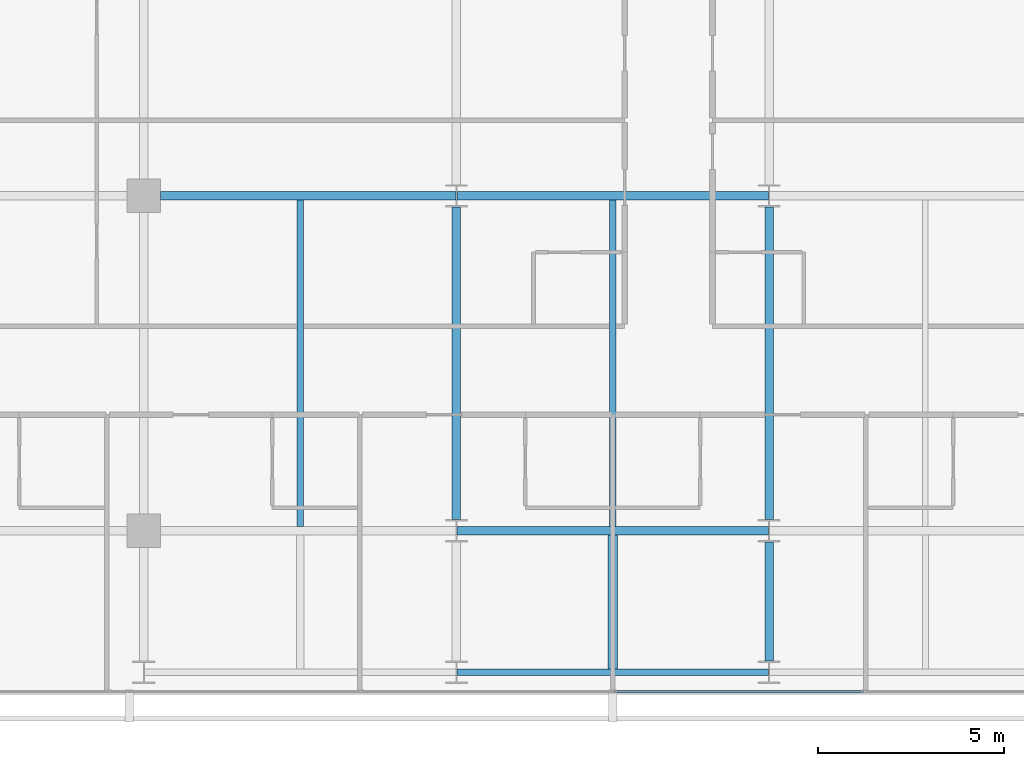
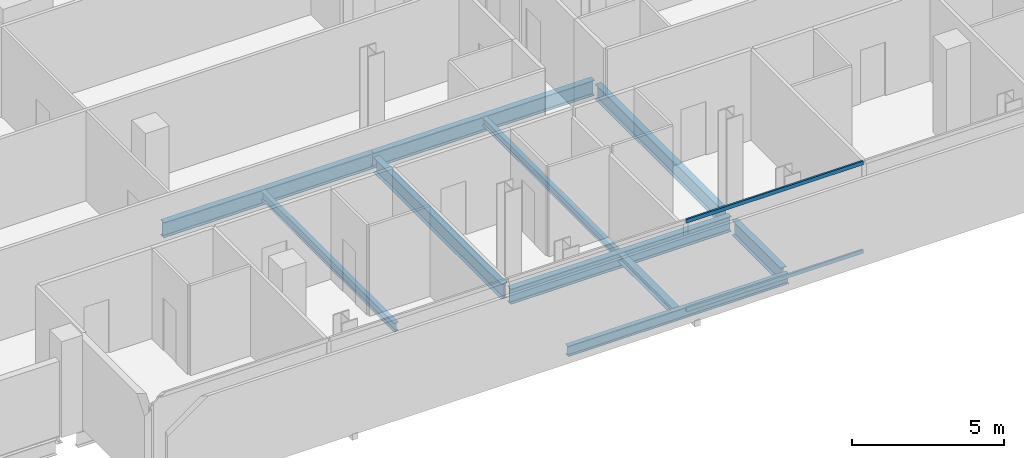
# One storey, part 7 of 33: 10 beams, 2 members, 1 element without a shape of its own.
"""IFC4 building model written with IfcOpenShell, lengths in metres."""

from ifc_helpers import new_model, si_unit, direction, frame, origin, origin_2d, place, context, subcontext, project, spatial, hollow_rectangle, i_section, extrude, material, layer, layer_set, material_profile, profile_set, type_object, element, aggregate, save


model = new_model("IFC4")

# Units and contexts
model_context = context("Model", 3, precision=1e-05, world=origin(), true_north=direction((0.0, 1.0)))
body_context = subcontext(model_context, "Body", "Model", "MODEL_VIEW")
ifc_project = project(units=[si_unit("LENGTHUNIT", "METRE"), si_unit("AREAUNIT", "SQUARE_METRE"), si_unit("VOLUMEUNIT", "CUBIC_METRE"), si_unit("PLANEANGLEUNIT", "RADIAN"), si_unit("MASSUNIT", "GRAM", prefix="KILO")], contexts=[model_context])

# Site, building, storey
site_placement = place(None, origin())
site = spatial("IfcSite", under=ifc_project, at=site_placement, CompositionType="ELEMENT")
building_placement = place(site_placement, origin())
building = spatial("IfcBuilding", under=site, at=building_placement, Name="Maruvema Waterfront Hotel and Observation Tower", CompositionType="ELEMENT")
storey_placement = place(building_placement, frame((0.0, 0.0, 150.5)))
storey = spatial("IfcBuildingStorey", under=building, at=storey_placement, Name="L36", CompositionType="ELEMENT", Elevation=150.5)

# Curtain wall, members
ifc_material_1 = material(Name="Anodised bronze aluminium and solar-control low-E IGU", Category="aluminium")
ifc_layer = layer(ifc_material_1, 0.159912109375, Name="Zone 2 Amber Inner Thermal Curtain Wall System CW-03")
ifc_layer_set = layer_set([ifc_layer], Name="Anodised bronze aluminium and solar-control low-E IGU")
curtain_wall_type = type_object("IfcCurtainWallType", Name="Zone 2 Amber Inner Thermal Curtain Wall System CW-03", PredefinedType="USERDEFINED", material=ifc_layer_set)
curtain_wall_placement = place(storey_placement, origin())
curtain_wall = element("IfcCurtainWall", 1, at=curtain_wall_placement, inside=storey, type_object=curtain_wall_type, Name="L36 Curtain Wall CW-L36-S", ObjectType="UNITISED CURTAIN WALL", PredefinedType="USERDEFINED")
ifc_material_2 = material(Name="Anodised architectural bronze aluminium", Category="aluminium")
ifc_material_profile_1 = material_profile(ifc_material_2, hollow_rectangle(XDim=0.070068359375, YDim=0.14990234375, WallThickness=0.00390625, at=origin_2d()), Name="ALU-T70x150")
ifc_profile_set_1 = profile_set([ifc_material_profile_1], Name="Anodised architectural bronze aluminium")
member_type = type_object("IfcMemberType", Name="Curtain Wall Horizontal Transom ALU-T70x150", PredefinedType="USERDEFINED", material=ifc_profile_set_1)
member_1_placement = place(storey_placement, frame((37.830078125, 4.679931640625, 0.030029296875), z_axis=(1.0, 0.0, 0.0), x_axis=(0.0, 1.0, 0.0)))
member_1 = element("IfcMember", 2, at=member_1_placement, type_object=member_type, Name="CW-03 transom 4.1", ObjectType="TRANSOM", PredefinedType="USERDEFINED", context=body_context, shape_type="SweptSolid", body=[
    extrude(hollow_rectangle(XDim=0.070068359375, YDim=0.14990234375, WallThickness=0.00390625, at=origin_2d()), origin(), (0.0, 0.0, 1.0), 6.70654296875),
])
member_2_placement = place(storey_placement, frame((37.830078125, 4.679931640625, 3.580078125), z_axis=(1.0, 0.0, 0.0), x_axis=(0.0, 1.0, 0.0)))
member_2 = element("IfcMember", 3, at=member_2_placement, type_object=member_type, Name="CW-03 transom 4.2", ObjectType="TRANSOM", PredefinedType="USERDEFINED", context=body_context, shape_type="SweptSolid", body=[
    extrude(hollow_rectangle(XDim=0.070068359375, YDim=0.14990234375, WallThickness=0.00390625, at=origin_2d()), origin(), (0.0, 0.0, 1.0), 6.70654296875),
])
aggregate(curtain_wall, [member_1, member_2])

# Beams
ifc_material_3 = material(Name="Steel ASTM A572 Grade 50", Category="steel")
ifc_material_profile_2 = material_profile(ifc_material_3, i_section(OverallWidth=0.180908203125, OverallDepth=0.4169921875, WebThickness=0.010986328125, FlangeThickness=0.018310546875, FilletRadius=0.014892578125, at=origin_2d()), Name="W410x85.0")
ifc_profile_set_2 = profile_set([ifc_material_profile_2], Name="Steel ASTM A572 Grade 50")
beam_type_1 = type_object("IfcBeamType", Name="Perimeter Spandrel Beam W410x85.0", PredefinedType="SPANDREL", material=ifc_profile_set_2)
beam_1_placement = place(storey_placement, frame((33.612548828125, 5.199951171875, -0.448486328125), z_axis=(1.0, 0.0, 0.0), x_axis=(0.0, 1.0, 0.0)))
element("IfcBeam", 4, at=beam_1_placement, inside=storey, type_object=beam_type_1, Name="L36 Floor Girder EW-02", PredefinedType="SPANDREL", context=body_context, shape_type="SweptSolid", body=[
    extrude(i_section(OverallWidth=0.180908203125, OverallDepth=0.4169921875, WebThickness=0.010986328125, FlangeThickness=0.018310546875, FilletRadius=0.014892578125, at=origin_2d()), origin(), (0.0, 0.0, 1.0), 8.375),
])
ifc_material_4 = material(Name="Steel ASTM A572 Grade 50", Category="steel")
ifc_material_profile_3 = material_profile(ifc_material_4, i_section(OverallWidth=0.22900390625, OverallDepth=0.612060546875, WebThickness=0.011962890625, FlangeThickness=0.01953125, FilletRadius=0.01806640625, at=origin_2d()), Name="W610x125.0")
ifc_profile_set_3 = profile_set([ifc_material_profile_3], Name="Steel ASTM A572 Grade 50")
beam_type_2 = type_object("IfcBeamType", Name="Primary Floor Girder W610x125.0", PredefinedType="BEAM", material=ifc_profile_set_3)
beam_2_placement = place(storey_placement, frame((33.612548828125, 9.0, -0.5458984375), z_axis=(1.0, 0.0, 0.0), x_axis=(0.0, 1.0, 0.0)))
element("IfcBeam", 5, at=beam_2_placement, inside=storey, type_object=beam_type_2, Name="L36 Floor Girder EW-07", PredefinedType="BEAM", context=body_context, shape_type="SweptSolid", body=[
    extrude(i_section(OverallWidth=0.22900390625, OverallDepth=0.612060546875, WebThickness=0.011962890625, FlangeThickness=0.01953125, FilletRadius=0.01806640625, at=origin_2d()), origin(), (0.0, 0.0, 1.0), 8.375),
])
beam_3_placement = place(storey_placement, frame((25.64990234375, 18.0, -0.5458984375), z_axis=(1.0, 0.0, 0.0), x_axis=(0.0, 1.0, 0.0)))
element("IfcBeam", 6, at=beam_3_placement, inside=storey, type_object=beam_type_2, Name="L36 Floor Girder EW-13", PredefinedType="BEAM", context=body_context, shape_type="SweptSolid", body=[
    extrude(i_section(OverallWidth=0.22900390625, OverallDepth=0.612060546875, WebThickness=0.011962890625, FlangeThickness=0.01953125, FilletRadius=0.01806640625, at=origin_2d()), origin(), (0.0, 0.0, 1.0), 7.9375),
])
beam_4_placement = place(storey_placement, frame((33.612548828125, 18.0, -0.5458984375), z_axis=(1.0, 0.0, 0.0), x_axis=(0.0, 1.0, 0.0)))
element("IfcBeam", 7, at=beam_4_placement, inside=storey, type_object=beam_type_2, Name="L36 Floor Girder EW-14", PredefinedType="BEAM", context=body_context, shape_type="SweptSolid", body=[
    extrude(i_section(OverallWidth=0.22900390625, OverallDepth=0.612060546875, WebThickness=0.011962890625, FlangeThickness=0.01953125, FilletRadius=0.01806640625, at=origin_2d()), origin(), (0.0, 0.0, 1.0), 8.375),
])
beam_5_placement = place(storey_placement, frame((33.60009765625, 9.300048828125, -0.5458984375), z_axis=(0.0, 1.0, 0.0), x_axis=(-1.0, 0.0, 0.0)))
element("IfcBeam", 8, at=beam_5_placement, inside=storey, type_object=beam_type_2, Name="L36 Floor Girder NS-15", PredefinedType="BEAM", context=body_context, shape_type="SweptSolid", body=[
    extrude(i_section(OverallWidth=0.22900390625, OverallDepth=0.612060546875, WebThickness=0.011962890625, FlangeThickness=0.01953125, FilletRadius=0.01806640625, at=origin_2d()), origin(), (0.0, 0.0, 1.0), 8.39990234375),
])
beam_6_placement = place(storey_placement, frame((42.0, 5.5, -0.5458984375), z_axis=(0.0, 1.0, 0.0), x_axis=(-1.0, 0.0, 0.0)))
element("IfcBeam", 9, at=beam_6_placement, inside=storey, type_object=beam_type_2, Name="L36 Floor Girder NS-17", PredefinedType="BEAM", context=body_context, shape_type="SweptSolid", body=[
    extrude(i_section(OverallWidth=0.22900390625, OverallDepth=0.612060546875, WebThickness=0.011962890625, FlangeThickness=0.01953125, FilletRadius=0.01806640625, at=origin_2d()), origin(), (0.0, 0.0, 1.0), 3.199951171875),
])
beam_7_placement = place(storey_placement, frame((42.0, 9.300048828125, -0.5458984375), z_axis=(0.0, 1.0, 0.0), x_axis=(-1.0, 0.0, 0.0)))
element("IfcBeam", 10, at=beam_7_placement, inside=storey, type_object=beam_type_2, Name="L36 Floor Girder NS-18", PredefinedType="BEAM", context=body_context, shape_type="SweptSolid", body=[
    extrude(i_section(OverallWidth=0.22900390625, OverallDepth=0.612060546875, WebThickness=0.011962890625, FlangeThickness=0.01953125, FilletRadius=0.01806640625, at=origin_2d()), origin(), (0.0, 0.0, 1.0), 8.39990234375),
])
ifc_material_5 = material(Name="Steel ASTM A572 Grade 50", Category="steel")
ifc_material_profile_4 = material_profile(ifc_material_5, i_section(OverallWidth=0.1669921875, OverallDepth=0.31689453125, WebThickness=0.007568359375, FlangeThickness=0.01318359375, FilletRadius=0.012939453125, at=origin_2d()), Name="W310x52.0")
ifc_profile_set_4 = profile_set([ifc_material_profile_4], Name="Steel ASTM A572 Grade 50")
beam_type_3 = type_object("IfcBeamType", Name="Secondary Floor Joist W310x52.0", PredefinedType="JOIST", material=ifc_profile_set_4)
beam_8_placement = place(storey_placement, frame((37.800048828125, 9.114501953125, -0.3984375), z_axis=(0.0, 1.0, 0.0), x_axis=(-1.0, 0.0, 0.0)))
element("IfcBeam", 11, at=beam_8_placement, inside=storey, type_object=beam_type_3, Name="L36 Secondary Floor Joist JS-08", PredefinedType="JOIST", context=body_context, shape_type="SweptSolid", body=[
    extrude(i_section(OverallWidth=0.1669921875, OverallDepth=0.31689453125, WebThickness=0.007568359375, FlangeThickness=0.01318359375, FilletRadius=0.012939453125, at=origin_2d()), origin(), (0.0, 0.0, 1.0), 8.77099609375),
])
ifc_material_6 = material(Name="Steel ASTM A572 Grade 50", Category="steel")
ifc_material_profile_5 = material_profile(ifc_material_6, i_section(OverallWidth=0.25390625, OverallDepth=0.305908203125, WebThickness=0.0087890625, FlangeThickness=0.0146484375, FilletRadius=0.014892578125, at=origin_2d()), Name="W310x79.0")
ifc_profile_set_5 = profile_set([ifc_material_profile_5], Name="Steel ASTM A572 Grade 50")
beam_type_4 = type_object("IfcBeamType", Name="Secondary Floor Joist W310x79.0", PredefinedType="JOIST", material=ifc_profile_set_5)
beam_9_placement = place(storey_placement, frame((37.800048828125, 5.29052734375, -0.39306640625), z_axis=(0.0, 1.0, 0.0), x_axis=(-1.0, 0.0, 0.0)))
element("IfcBeam", 12, at=beam_9_placement, inside=storey, type_object=beam_type_4, Name="L36 Secondary Floor Joist JS-07", PredefinedType="JOIST", context=body_context, shape_type="SweptSolid", body=[
    extrude(i_section(OverallWidth=0.25390625, OverallDepth=0.305908203125, WebThickness=0.0087890625, FlangeThickness=0.0146484375, FilletRadius=0.014892578125, at=origin_2d()), origin(), (0.0, 0.0, 1.0), 3.594970703125),
])
ifc_material_7 = material(Name="Steel ASTM A572 Grade 50", Category="steel")
ifc_material_profile_6 = material_profile(ifc_material_7, i_section(OverallWidth=0.1708984375, OverallDepth=0.35498046875, WebThickness=0.007080078125, FlangeThickness=0.01171875, FilletRadius=0.014892578125, at=origin_2d()), Name="W360x51.0")
ifc_profile_set_6 = profile_set([ifc_material_profile_6], Name="Steel ASTM A572 Grade 50")
beam_type_5 = type_object("IfcBeamType", Name="Secondary Floor Joist W360x51.0", PredefinedType="JOIST", material=ifc_profile_set_6)
beam_10_placement = place(storey_placement, frame((29.39990234375, 9.114501953125, -0.41748046875), z_axis=(0.0, 1.0, 0.0), x_axis=(-1.0, 0.0, 0.0)))
element("IfcBeam", 13, at=beam_10_placement, inside=storey, type_object=beam_type_5, Name="L36 Secondary Floor Joist JS-06", PredefinedType="JOIST", context=body_context, shape_type="SweptSolid", body=[
    extrude(i_section(OverallWidth=0.1708984375, OverallDepth=0.35498046875, WebThickness=0.007080078125, FlangeThickness=0.01171875, FilletRadius=0.014892578125, at=origin_2d()), origin(), (0.0, 0.0, 1.0), 8.77099609375),
])

save(model, "model.ifc")
